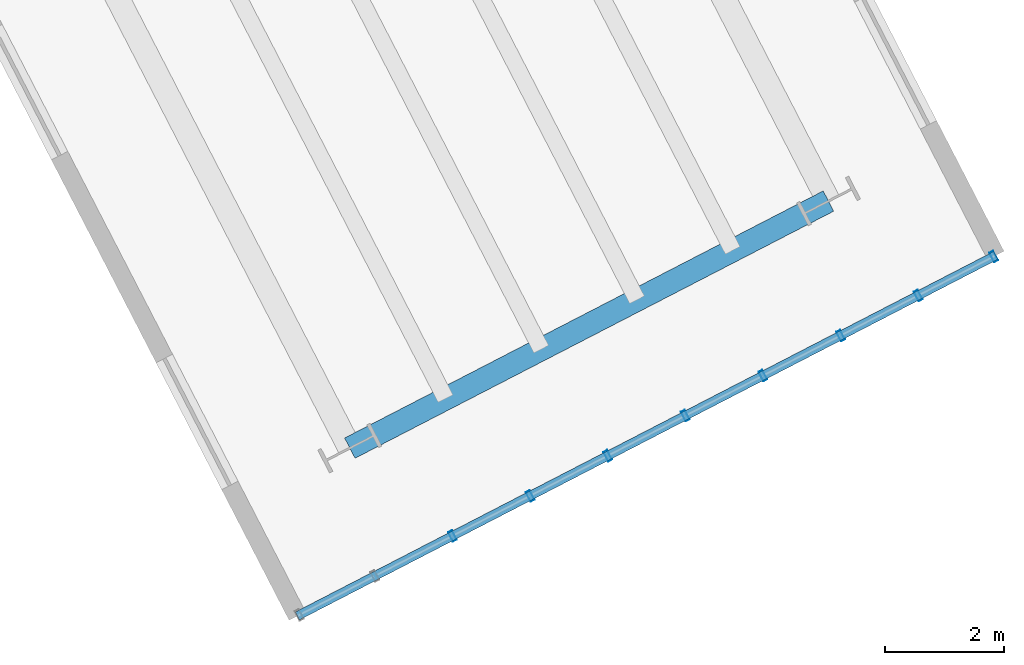
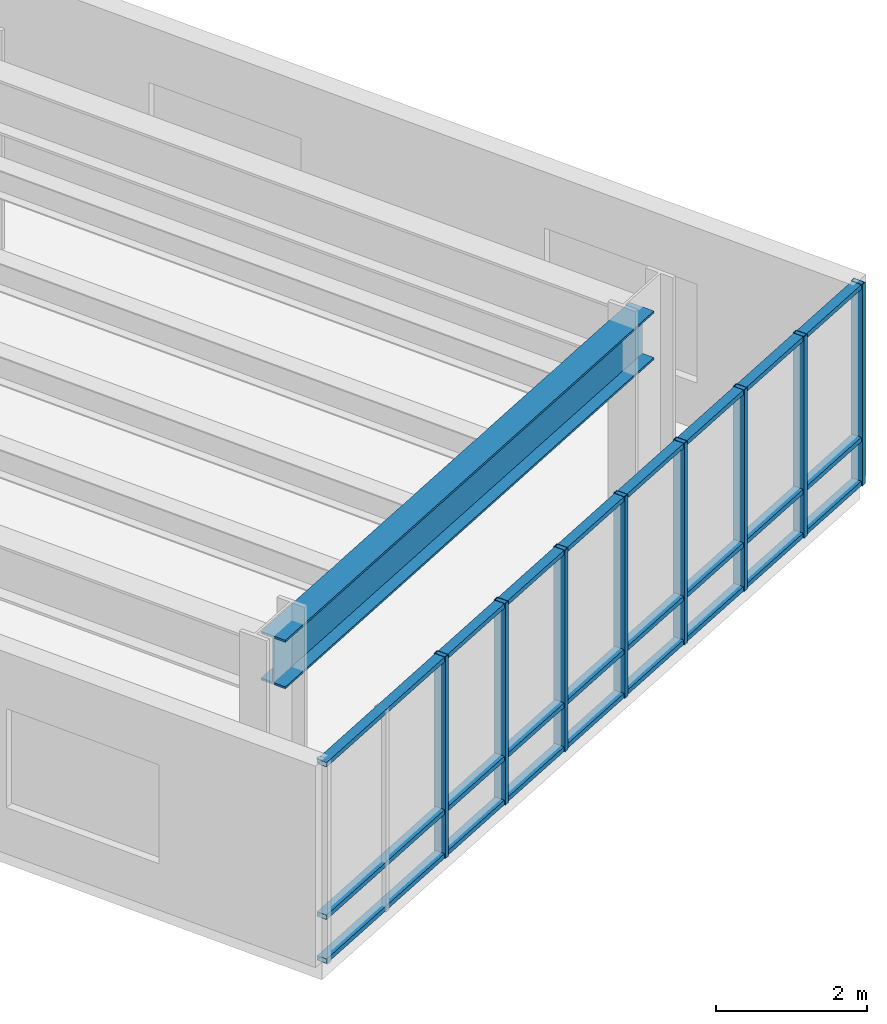
# One storey, part 4 of 10: 11 members, 1 beam, 1 element without a shape of its own.
"""IFC4 building model written with IfcOpenShell, lengths in metres."""

from ifc_helpers import new_model, si_unit, direction, frame, origin, origin_2d, place, context, subcontext, project, spatial, hollow_rectangle, i_section, extrude, material, layer, layer_set, material_profile, profile_set, type_object, element, aggregate, save


model = new_model("IFC4")

# Units and contexts
model_context = context("Model", 3, precision=1e-05, world=origin(), true_north=direction((0.0, 1.0)))
body_context = subcontext(model_context, "Body", "Model", "MODEL_VIEW")
ifc_project = project(units=[si_unit("LENGTHUNIT", "METRE"), si_unit("AREAUNIT", "SQUARE_METRE"), si_unit("VOLUMEUNIT", "CUBIC_METRE"), si_unit("PLANEANGLEUNIT", "RADIAN"), si_unit("MASSUNIT", "GRAM", prefix="KILO"), si_unit("THERMODYNAMICTEMPERATUREUNIT", "KELVIN"), si_unit("POWERUNIT", "WATT")], contexts=[model_context])

# Site, building, storey
site_placement = place(None, origin())
site = spatial("IfcSite", under=ifc_project, at=site_placement, CompositionType="ELEMENT")
building_placement = place(site_placement, origin())
building = spatial("IfcBuilding", under=site, at=building_placement, Name="Skarre Station Tower", CompositionType="ELEMENT")
storey_placement = place(building_placement, frame((0.0, 0.0, 238.35009765625)))
storey = spatial("IfcBuildingStorey", under=building, at=storey_placement, Name="L65", CompositionType="ELEMENT", Elevation=238.35009765625)

# Curtain wall, members
ifc_material_1 = material(Name="Thermally Broken Bronze-Anodized Aluminium & Triple Low-E Glass", Category="aluminium")
ifc_layer = layer(ifc_material_1, 0.2099609375, Name="Thermally Broken Bronze-Anodized Aluminium & Triple Low-E Glass")
ifc_layer_set = layer_set([ifc_layer], Name="Thermally Broken Bronze-Anodized Aluminium & Triple Low-E Glass")
curtain_wall_type = type_object("IfcCurtainWallType", Name="Sky-Bar Prow Structural Glazed Curtain Wall", PredefinedType="NOTDEFINED", material=ifc_layer_set)
curtain_wall_placement = place(storey_placement, origin())
curtain_wall = element("IfcCurtainWall", 1, at=curtain_wall_placement, inside=storey, type_object=curtain_wall_type, Name="L65 SB-5 Lakefront Prow Curtain Wall", PredefinedType="NOTDEFINED")
ifc_material_2 = material(Name="Anodized Aluminium 6063-T6", Category="aluminium")
ifc_material_profile_1 = material_profile(ifc_material_2, hollow_rectangle(XDim=0.074951171875, YDim=0.14990234375, WallThickness=0.00390625, at=origin_2d()), Name="Anodized Aluminium 6063-T6")
ifc_profile_set_1 = profile_set([ifc_material_profile_1], Name="Anodized Aluminium 6063-T6")
member_type_1 = type_object("IfcMemberType", Name="Curtain-Wall Secondary Transom 150x75", PredefinedType="USERDEFINED", material=ifc_profile_set_1)
member_1_placement = place(storey_placement, frame((56.969970703125, -4.160888671875, 0.039794921875), z_axis=(-0.888574451081, -0.458732432782, 0.0), x_axis=(0.0, 0.0, 1.0)))
member_1 = element("IfcMember", 2, at=member_1_placement, type_object=member_type_1, Name="L65 SB-5 Lakefront Prow Curtain Wall Transom 1", ObjectType="TRANSOM", PredefinedType="USERDEFINED", context=body_context, shape_type="SweptSolid", body=[
    extrude(hollow_rectangle(XDim=0.074951171875, YDim=0.14990234375, WallThickness=0.00390625, at=origin_2d()), origin(), (0.0, 0.0, 1.0), 13.19970703125),
])
member_2_placement = place(storey_placement, frame((56.969970703125, -4.160888671875, 0.75), z_axis=(-0.888574451081, -0.458732432782, 0.0), x_axis=(0.0, 0.0, 1.0)))
member_2 = element("IfcMember", 3, at=member_2_placement, type_object=member_type_1, Name="L65 SB-5 Lakefront Prow Curtain Wall Transom 2", ObjectType="TRANSOM", PredefinedType="USERDEFINED", context=body_context, shape_type="SweptSolid", body=[
    extrude(hollow_rectangle(XDim=0.074951171875, YDim=0.14990234375, WallThickness=0.00390625, at=origin_2d()), origin(), (0.0, 0.0, 1.0), 13.19970703125),
])
member_3_placement = place(storey_placement, frame((56.969970703125, -4.160888671875, 3.219970703125), z_axis=(-0.888574451081, -0.458732432782, 0.0), x_axis=(0.0, 0.0, 1.0)))
member_3 = element("IfcMember", 4, at=member_3_placement, type_object=member_type_1, Name="L65 SB-5 Lakefront Prow Curtain Wall Transom 3", ObjectType="TRANSOM", PredefinedType="USERDEFINED", context=body_context, shape_type="SweptSolid", body=[
    extrude(hollow_rectangle(XDim=0.074951171875, YDim=0.14990234375, WallThickness=0.00390625, at=origin_2d()), origin(), (0.0, 0.0, 1.0), 13.19970703125),
])
ifc_material_profile_2 = material_profile(ifc_material_2, hollow_rectangle(XDim=0.074951171875, YDim=0.179931640625, WallThickness=0.00390625, at=origin_2d()), Name="Anodized Aluminium 6063-T6")
ifc_profile_set_2 = profile_set([ifc_material_profile_2], Name="Anodized Aluminium 6063-T6")
member_type_2 = type_object("IfcMemberType", Name="Curtain-Wall Unitised Tower Mullion 180x75", PredefinedType="MULLION", material=ifc_profile_set_2)
member_4_placement = place(storey_placement, frame((56.93408203125, -4.178955078125, 0.0), z_axis=(0.0, 0.0, 1.0), x_axis=(-0.888577204547, -0.45872709922, 0.0)))
member_4 = element("IfcMember", 5, at=member_4_placement, type_object=member_type_2, Name="L65 SB-5 Lakefront Prow Curtain Wall Mullion 1", PredefinedType="MULLION", context=body_context, shape_type="SweptSolid", body=[
    extrude(hollow_rectangle(XDim=0.074951171875, YDim=0.179931640625, WallThickness=0.00390625, at=origin_2d()), origin(), (0.0, 0.0, 1.0), 3.260009765625),
])
member_5_placement = place(storey_placement, frame((55.6669921875, -4.833984375, 0.0), z_axis=(0.0, 0.0, 1.0), x_axis=(-0.888577204547, -0.45872709922, 0.0)))
member_5 = element("IfcMember", 6, at=member_5_placement, type_object=member_type_2, Name="L65 SB-5 Lakefront Prow Curtain Wall Mullion 2", PredefinedType="MULLION", context=body_context, shape_type="SweptSolid", body=[
    extrude(hollow_rectangle(XDim=0.074951171875, YDim=0.179931640625, WallThickness=0.00390625, at=origin_2d()), origin(), (0.0, 0.0, 1.0), 3.260009765625),
])
member_6_placement = place(storey_placement, frame((54.364013671875, -5.507080078125, 0.0), z_axis=(0.0, 0.0, 1.0), x_axis=(-0.888577204547, -0.45872709922, 0.0)))
member_6 = element("IfcMember", 7, at=member_6_placement, type_object=member_type_2, Name="L65 SB-5 Lakefront Prow Curtain Wall Mullion 3", PredefinedType="MULLION", context=body_context, shape_type="SweptSolid", body=[
    extrude(hollow_rectangle(XDim=0.074951171875, YDim=0.179931640625, WallThickness=0.00390625, at=origin_2d()), origin(), (0.0, 0.0, 1.0), 3.260009765625),
])
member_7_placement = place(storey_placement, frame((53.06005859375, -6.178955078125, 0.0), z_axis=(0.0, 0.0, 1.0), x_axis=(-0.888577204547, -0.45872709922, 0.0)))
member_7 = element("IfcMember", 8, at=member_7_placement, type_object=member_type_2, Name="L65 SB-5 Lakefront Prow Curtain Wall Mullion 4", PredefinedType="MULLION", context=body_context, shape_type="SweptSolid", body=[
    extrude(hollow_rectangle(XDim=0.074951171875, YDim=0.179931640625, WallThickness=0.00390625, at=origin_2d()), origin(), (0.0, 0.0, 1.0), 3.260009765625),
])
member_8_placement = place(storey_placement, frame((51.757080078125, -6.85205078125, 0.0), z_axis=(0.0, 0.0, 1.0), x_axis=(-0.888577204547, -0.45872709922, 0.0)))
member_8 = element("IfcMember", 9, at=member_8_placement, type_object=member_type_2, Name="L65 SB-5 Lakefront Prow Curtain Wall Mullion 5", PredefinedType="MULLION", context=body_context, shape_type="SweptSolid", body=[
    extrude(hollow_rectangle(XDim=0.074951171875, YDim=0.179931640625, WallThickness=0.00390625, at=origin_2d()), origin(), (0.0, 0.0, 1.0), 3.260009765625),
])
member_9_placement = place(storey_placement, frame((50.4541015625, -7.52490234375, 0.0), z_axis=(0.0, 0.0, 1.0), x_axis=(-0.888577204547, -0.45872709922, 0.0)))
member_9 = element("IfcMember", 10, at=member_9_placement, type_object=member_type_2, Name="L65 SB-5 Lakefront Prow Curtain Wall Mullion 6", PredefinedType="MULLION", context=body_context, shape_type="SweptSolid", body=[
    extrude(hollow_rectangle(XDim=0.074951171875, YDim=0.179931640625, WallThickness=0.00390625, at=origin_2d()), origin(), (0.0, 0.0, 1.0), 3.260009765625),
])
member_10_placement = place(storey_placement, frame((49.15087890625, -8.197998046875, 0.0), z_axis=(0.0, 0.0, 1.0), x_axis=(-0.888577204547, -0.45872709922, 0.0)))
member_10 = element("IfcMember", 11, at=member_10_placement, type_object=member_type_2, Name="L65 SB-5 Lakefront Prow Curtain Wall Mullion 7", PredefinedType="MULLION", context=body_context, shape_type="SweptSolid", body=[
    extrude(hollow_rectangle(XDim=0.074951171875, YDim=0.179931640625, WallThickness=0.00390625, at=origin_2d()), origin(), (0.0, 0.0, 1.0), 3.260009765625),
])
member_11_placement = place(storey_placement, frame((47.846923828125, -8.8701171875, 0.0), z_axis=(0.0, 0.0, 1.0), x_axis=(-0.888577204547, -0.45872709922, 0.0)))
member_11 = element("IfcMember", 12, at=member_11_placement, type_object=member_type_2, Name="L65 SB-5 Lakefront Prow Curtain Wall Mullion 8", PredefinedType="MULLION", context=body_context, shape_type="SweptSolid", body=[
    extrude(hollow_rectangle(XDim=0.074951171875, YDim=0.179931640625, WallThickness=0.00390625, at=origin_2d()), origin(), (0.0, 0.0, 1.0), 3.260009765625),
])
aggregate(curtain_wall, [member_4, member_5, member_6, member_7, member_8, member_9, member_10, member_11, member_1, member_2, member_3])

# Beam
ifc_material_3 = material(Name="Steel ASTM A992 Grade 50", Category="steel")
ifc_material_profile_3 = material_profile(ifc_material_3, i_section(OverallWidth=0.384033203125, OverallDepth=0.785888671875, WebThickness=0.02001953125, FlangeThickness=0.032958984375, at=origin_2d()), Name="Steel ASTM A992 Grade 50")
ifc_profile_set_3 = profile_set([ifc_material_profile_3], Name="Steel ASTM A992 Grade 50")
beam_type = type_object("IfcBeamType", Name="Steel Spandrel W30X211", PredefinedType="SPANDREL", material=ifc_profile_set_3)
beam_placement = place(storey_placement, frame((46.123046875, -7.39697265625, 2.866943359375), z_axis=(0.888604333632, 0.458674545021, 0.0), x_axis=(-0.458674545021, 0.888604333632, 0.0)))
element("IfcBeam", 13, at=beam_placement, inside=storey, type_object=beam_type, Name="L65 SB-5 Prow Spandrel Girder", PredefinedType="SPANDREL", context=body_context, shape_type="SweptSolid", body=[
    extrude(i_section(OverallWidth=0.384033203125, OverallDepth=0.785888671875, WebThickness=0.02001953125, FlangeThickness=0.032958984375, at=origin_2d()), origin(), (0.0, 0.0, 1.0), 9.04541015625),
])

save(model, "model.ifc")
